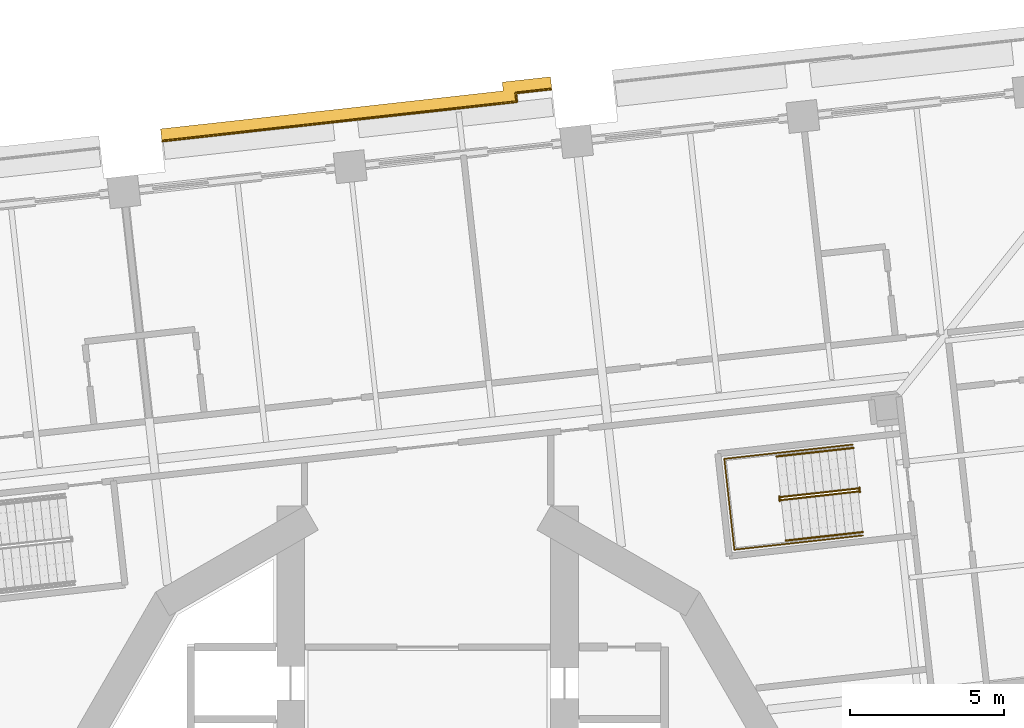
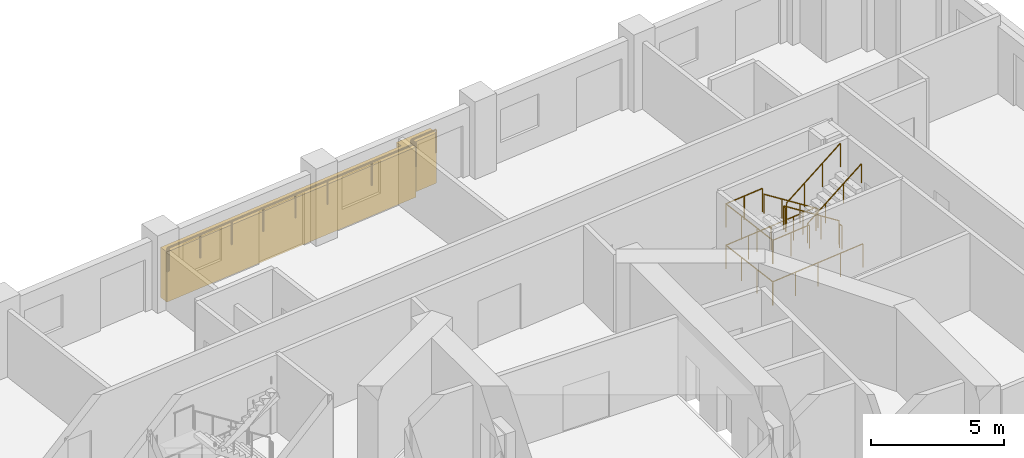
# One storey, part 17 of 19: 8 railings, 1 covering.
"""IFC4 building model written with IfcOpenShell, lengths in metres."""

from ifc_helpers import new_model, si_unit, direction, frame, origin, origin_2d, place, context, subcontext, project, spatial, polyline, circle, outline, extrude, material, type_object, element, save


model = new_model("IFC4")

# Units and contexts
model_context = context("Model", 3, precision=1e-05, world=origin(), true_north=direction((0.0, 1.0)))
body_context = subcontext(model_context, "Body", "Model", "MODEL_VIEW")
ifc_project = project(units=[si_unit("LENGTHUNIT", "METRE"), si_unit("AREAUNIT", "SQUARE_METRE"), si_unit("VOLUMEUNIT", "CUBIC_METRE"), si_unit("PLANEANGLEUNIT", "RADIAN"), si_unit("MASSUNIT", "GRAM", prefix="KILO")], contexts=[model_context])

# Site, building, storey
site_placement = place(None, origin())
site = spatial("IfcSite", under=ifc_project, at=site_placement, CompositionType="ELEMENT")
building_placement = place(site_placement, origin())
building = spatial("IfcBuilding", under=site, at=building_placement, Name="Cantera Rosa Tower", CompositionType="ELEMENT")
storey_placement = place(building_placement, frame((0.0, 0.0, 65.300048828125)))
storey = spatial("IfcBuildingStorey", under=building, at=storey_placement, Name="L13", CompositionType="ELEMENT", Elevation=65.300048828125)

# Railings
ifc_material_1 = material(Name="Stainless steel and laminated glass", Category="steel")
railing_type_1 = type_object("IfcRailingType", Name="GUARD 1100", PredefinedType="BALUSTRADE", material=ifc_material_1)
railing_1_placement = place(storey_placement, frame((-8.6142578125, 23.4931640625, 0.0)))
element("IfcRailing", 1, at=railing_1_placement, inside=storey, type_object=railing_type_1, Name="GUARD L13-12", PredefinedType="BALUSTRADE", context=body_context, shape_type="SweptSolid", body=[
    extrude(circle(Radius=0.030029296875, at=origin_2d()), frame((0.0, 0.0, 1.070068359375), z_axis=(0.994136314057, 0.108134125389, 0.0), x_axis=(-0.108134125389, 0.994136314057, 0.0)), (0.0, 0.0, 1.0), 0.070068359375),
    extrude(circle(Radius=0.030029296875, at=origin_2d()), frame((0.069580078125, 0.007568359375, 1.070068359375), z_axis=(0.993891851654, 0.110358448777, 0.0), x_axis=(-0.110358448777, 0.993891851654, 0.0)), (0.0, 0.0, 1.0), 4.400146484375),
    extrude(circle(Radius=0.030029296875, at=origin_2d()), frame((4.44287109375, 0.4931640625, 1.070068359375), z_axis=(0.993901585709, 0.110270748271, 0.0), x_axis=(-0.110270748271, 0.993901585709, 0.0)), (0.0, 0.0, 1.0), 3.0),
    extrude(circle(Radius=0.030029296875, at=origin_2d()), frame((7.424560546875, 0.823974609375, 1.070068359375), z_axis=(0.993898197765, 0.110301280499, 0.0), x_axis=(-0.110301280499, 0.993898197765, 0.0)), (0.0, 0.0, 1.0), 4.11474609375),
    extrude(circle(Radius=0.030029296875, at=origin_2d()), frame((11.51416015625, 1.27783203125, 1.070068359375), z_axis=(-0.110431526075, 0.993883734674, 0.0), x_axis=(-0.993883734674, -0.110431526075, 0.0)), (0.0, 0.0, 1.0), 0.28515625),
    extrude(circle(Radius=0.030029296875, at=origin_2d()), frame((11.482666015625, 1.561279296875, 1.070068359375), z_axis=(0.993896614033, 0.110315550186, 0.0), x_axis=(-0.110315550186, 0.993896614033, 0.0)), (0.0, 0.0, 1.0), 1.1552734375),
    extrude(circle(Radius=0.02490234375, at=origin_2d()), origin(), (0.0, 0.0, 1.0), 1.0400390625),
    extrude(circle(Radius=0.02490234375, at=origin_2d()), frame((0.069580078125, 0.007568359375, 0.0)), (0.0, 0.0, 1.0), 1.0400390625),
    extrude(circle(Radius=0.02490234375, at=origin_2d()), frame((1.52734375, 0.16943359375, 0.0)), (0.0, 0.0, 1.0), 1.0400390625),
    extrude(circle(Radius=0.02490234375, at=origin_2d()), frame((2.985107421875, 0.331298828125, 0.0)), (0.0, 0.0, 1.0), 1.0400390625),
    extrude(circle(Radius=0.02490234375, at=origin_2d()), frame((4.44287109375, 0.4931640625, 0.0)), (0.0, 0.0, 1.0), 1.0400390625),
    extrude(circle(Radius=0.02490234375, at=origin_2d()), frame((5.93359375, 0.65869140625, 0.0)), (0.0, 0.0, 1.0), 1.0400390625),
    extrude(circle(Radius=0.02490234375, at=origin_2d()), frame((7.424560546875, 0.823974609375, 0.0)), (0.0, 0.0, 1.0), 1.0400390625),
    extrude(circle(Radius=0.02490234375, at=origin_2d()), frame((9.46923828125, 1.05078125, 0.0)), (0.0, 0.0, 1.0), 1.0400390625),
    extrude(circle(Radius=0.02490234375, at=origin_2d()), frame((11.51416015625, 1.27783203125, 0.0)), (0.0, 0.0, 1.0), 1.0400390625),
    extrude(circle(Radius=0.02490234375, at=origin_2d()), frame((11.482666015625, 1.561279296875, 0.0)), (0.0, 0.0, 1.0), 1.0400390625),
    extrude(circle(Radius=0.02490234375, at=origin_2d()), frame((12.630859375, 1.688720703125, 0.0)), (0.0, 0.0, 1.0), 1.0400390625),
])
ifc_material_2 = material(Name="Steel S355J2 (EN 10025-2)", Category="steel")
railing_type_2 = type_object("IfcRailingType", Name="STAIR GUARD 1100", PredefinedType="GUARDRAIL", material=ifc_material_2)
railing_2_placement = place(storey_placement, frame((13.986083984375, 12.203125, 0.18994140625)))
element("IfcRailing", 2, at=railing_2_placement, inside=storey, type_object=railing_type_2, Name="L13 ST-11 stair guard 1", PredefinedType="GUARDRAIL", context=body_context, shape_type="SweptSolid", body=[
    extrude(circle(Radius=0.02392578125, at=origin_2d()), frame((0.0, 0.0, 1.076171875), z_axis=(-0.822431337597, -0.091310000343, 0.561488360321), x_axis=(0.110346460196, -0.993893182753, 0.0)), (0.0, 0.0, 1.0), 3.04541015625),
    extrude(circle(Radius=0.02392578125, at=origin_2d()), frame((-2.504638671875, -0.278076171875, 2.7861328125), z_axis=(-0.931434406233, 0.363909256389, 0.0), x_axis=(-0.363909256389, -0.931434406233, 0.0)), (0.0, 0.0, 1.0), 0.056396484375),
    extrude(circle(Radius=0.02392578125, at=origin_2d()), frame((-2.55712890625, -0.257568359375, 2.7861328125), z_axis=(0.1090029065, -0.994041430915, 0.0), x_axis=(0.994041430915, 0.1090029065, 0.0)), (0.0, 0.0, 1.0), 0.150146484375),
    extrude(circle(Radius=0.02099609375, at=origin_2d()), origin(), (0.0, 0.0, 1.0), 1.052001953125),
    extrude(circle(Radius=0.02099609375, at=origin_2d()), frame((-0.8349609375, -0.0927734375, 0.570068359375)), (0.0, 0.0, 1.0), 1.052001953125),
    extrude(circle(Radius=0.02099609375, at=origin_2d()), frame((-1.669677734375, -0.185302734375, 1.139892578125)), (0.0, 0.0, 1.0), 1.052001953125),
    extrude(circle(Radius=0.02099609375, at=origin_2d()), frame((-2.504638671875, -0.278076171875, 1.7099609375)), (0.0, 0.0, 1.0), 1.052001953125),
    extrude(circle(Radius=0.02099609375, at=origin_2d()), frame((-2.55712890625, -0.257568359375, 1.7099609375)), (0.0, 0.0, 1.0), 1.052001953125),
    extrude(circle(Radius=0.02099609375, at=origin_2d()), frame((-2.540771484375, -0.40673828125, 1.7099609375)), (0.0, 0.0, 1.0), 1.052001953125),
])
railing_3_placement = place(storey_placement, frame((11.4921875, 11.82763671875, 2.08984375)))
element("IfcRailing", 3, at=railing_3_placement, inside=storey, type_object=railing_type_2, Name="L13 ST-11 stair guard 2", PredefinedType="GUARDRAIL", context=body_context, shape_type="SweptSolid", body=[
    extrude(circle(Radius=0.02392578125, at=origin_2d()), frame((0.0, 0.0, 1.076171875), z_axis=(0.822394317572, 0.091305890215, 0.561543249302), x_axis=(-0.110346460196, 0.993893182753, 0.0)), (0.0, 0.0, 1.0), 3.045654296875),
    extrude(circle(Radius=0.02099609375, at=origin_2d()), origin(), (0.0, 0.0, 1.0), 1.052001953125),
    extrude(circle(Radius=0.02099609375, at=origin_2d()), frame((0.8349609375, 0.0927734375, 0.570068359375)), (0.0, 0.0, 1.0), 1.052001953125),
    extrude(circle(Radius=0.02099609375, at=origin_2d()), frame((1.669677734375, 0.185302734375, 1.14013671875)), (0.0, 0.0, 1.0), 1.052001953125),
    extrude(circle(Radius=0.02099609375, at=origin_2d()), frame((2.504638671875, 0.278076171875, 1.710205078125)), (0.0, 0.0, 1.0), 1.052001953125),
])
railing_4_placement = place(storey_placement, frame((14.032958984375, 12.234375, 0.0)))
element("IfcRailing", 4, at=railing_4_placement, inside=storey, type_object=railing_type_2, Name="L13 ST-11 stair guard 3", PredefinedType="GUARDRAIL", context=body_context, shape_type="SweptSolid", body=[
    extrude(circle(Radius=0.02392578125, at=origin_2d()), frame((0.0, 0.0, 1.076171875), z_axis=(0.109179471459, -0.994022053584, 0.0), x_axis=(0.994022053584, 0.109179471459, 0.0)), (0.0, 0.0, 1.0), 0.14990234375),
    extrude(circle(Radius=0.02099609375, at=origin_2d()), origin(), (0.0, 0.0, 1.0), 1.052001953125),
    extrude(circle(Radius=0.02099609375, at=origin_2d()), frame((0.016357421875, -0.14892578125, 0.0)), (0.0, 0.0, 1.0), 1.052001953125),
])
railing_5_placement = place(storey_placement, frame((13.815673828125, 13.629150390625, 0.0)))
element("IfcRailing", 5, at=railing_5_placement, inside=storey, type_object=railing_type_2, Name="L13 ST-11 stair guard 4", PredefinedType="GUARDRAIL", context=body_context, shape_type="SweptSolid", body=[
    extrude(circle(Radius=0.02392578125, at=origin_2d()), frame((0.0, 0.0, 1.076171875), z_axis=(-0.9938957856, -0.110323013767, 0.0), x_axis=(0.110323013767, -0.9938957856, 0.0)), (0.0, 0.0, 1.0), 4.197998046875),
    extrude(circle(Radius=0.02392578125, at=origin_2d()), frame((-4.17236328125, -0.463134765625, 1.076171875), z_axis=(0.110314237986, -0.993896759678, 0.0), x_axis=(0.993896759678, 0.110314237986, 0.0)), (0.0, 0.0, 1.0), 2.969970703125),
    extrude(circle(Radius=0.02392578125, at=origin_2d()), frame((-3.8447265625, -3.4150390625, 1.076171875), z_axis=(0.9938957856, 0.110323013767, 0.0), x_axis=(-0.110323013767, 0.9938957856, 0.0)), (0.0, 0.0, 1.0), 4.197998046875),
    extrude(circle(Radius=0.02099609375, at=origin_2d()), origin(), (0.0, 0.0, 1.0), 1.052001953125),
    extrude(circle(Radius=0.02099609375, at=origin_2d()), frame((-1.04296875, -0.11572265625, 0.0)), (0.0, 0.0, 1.0), 1.052001953125),
    extrude(circle(Radius=0.02099609375, at=origin_2d()), frame((-2.086181640625, -0.2314453125, 0.0)), (0.0, 0.0, 1.0), 1.052001953125),
    extrude(circle(Radius=0.02099609375, at=origin_2d()), frame((-3.12939453125, -0.347412109375, 0.0)), (0.0, 0.0, 1.0), 1.052001953125),
    extrude(circle(Radius=0.02099609375, at=origin_2d()), frame((-4.17236328125, -0.463134765625, 0.0)), (0.0, 0.0, 1.0), 1.052001953125),
    extrude(circle(Radius=0.02099609375, at=origin_2d()), frame((-4.063232421875, -1.447021484375, 0.0)), (0.0, 0.0, 1.0), 1.052001953125),
    extrude(circle(Radius=0.02099609375, at=origin_2d()), frame((-3.953857421875, -2.43115234375, 0.0)), (0.0, 0.0, 1.0), 1.052001953125),
    extrude(circle(Radius=0.02099609375, at=origin_2d()), frame((-3.8447265625, -3.4150390625, 0.0)), (0.0, 0.0, 1.0), 1.052001953125),
    extrude(circle(Radius=0.02099609375, at=origin_2d()), frame((-2.8017578125, -3.29931640625, 0.0)), (0.0, 0.0, 1.0), 1.052001953125),
    extrude(circle(Radius=0.02099609375, at=origin_2d()), frame((-1.758544921875, -3.18359375, 0.0)), (0.0, 0.0, 1.0), 1.052001953125),
    extrude(circle(Radius=0.02099609375, at=origin_2d()), frame((-0.71533203125, -3.067626953125, 0.0)), (0.0, 0.0, 1.0), 1.052001953125),
    extrude(circle(Radius=0.02099609375, at=origin_2d()), frame((0.32763671875, -2.951904296875, 0.0)), (0.0, 0.0, 1.0), 1.052001953125),
])
railing_6_placement = place(storey_placement, frame((11.3349609375, 13.353759765625, 1.89990234375)))
element("IfcRailing", 6, at=railing_6_placement, inside=storey, type_object=railing_type_2, Name="L13 ST-11 stair guard 5", PredefinedType="GUARDRAIL", context=body_context, shape_type="SweptSolid", body=[
    extrude(circle(Radius=0.02392578125, at=origin_2d()), frame((0.0, 0.0, 1.076171875), z_axis=(-0.993897720867, -0.110305577623, 0.0), x_axis=(0.110305577623, -0.993897720867, 0.0)), (0.0, 0.0, 1.0), 1.7021484375),
    extrude(circle(Radius=0.02392578125, at=origin_2d()), frame((-1.691650390625, -0.187744140625, 1.076171875), z_axis=(0.110314237986, -0.993896759678, 0.0), x_axis=(0.993896759678, 0.110314237986, 0.0)), (0.0, 0.0, 1.0), 2.969970703125),
    extrude(circle(Radius=0.02392578125, at=origin_2d()), frame((-1.364013671875, -3.1396484375, 1.076171875), z_axis=(0.993897720867, 0.110305577623, 0.0), x_axis=(-0.110305577623, 0.993897720867, 0.0)), (0.0, 0.0, 1.0), 1.7021484375),
    extrude(circle(Radius=0.02099609375, at=origin_2d()), origin(), (0.0, 0.0, 1.0), 1.052001953125),
    extrude(circle(Radius=0.02099609375, at=origin_2d()), frame((-0.845703125, -0.09375, 0.0)), (0.0, 0.0, 1.0), 1.052001953125),
    extrude(circle(Radius=0.02099609375, at=origin_2d()), frame((-1.691650390625, -0.187744140625, 0.0)), (0.0, 0.0, 1.0), 1.052001953125),
    extrude(circle(Radius=0.02099609375, at=origin_2d()), frame((-1.58251953125, -1.171630859375, 0.0)), (0.0, 0.0, 1.0), 1.052001953125),
    extrude(circle(Radius=0.02099609375, at=origin_2d()), frame((-1.47314453125, -2.15576171875, 0.0)), (0.0, 0.0, 1.0), 1.052001953125),
    extrude(circle(Radius=0.02099609375, at=origin_2d()), frame((-1.364013671875, -3.1396484375, 0.0)), (0.0, 0.0, 1.0), 1.052001953125),
    extrude(circle(Radius=0.02099609375, at=origin_2d()), frame((-0.51806640625, -3.0458984375, 0.0)), (0.0, 0.0, 1.0), 1.052001953125),
    extrude(circle(Radius=0.02099609375, at=origin_2d()), frame((0.32763671875, -2.951904296875, 0.0)), (0.0, 0.0, 1.0), 1.052001953125),
])
ifc_material_3 = material(Name="Steel S355J2 (EN 10025-2)", Category="steel")
railing_type_3 = type_object("IfcRailingType", Name="STAIR HANDRAIL 900", PredefinedType="HANDRAIL", material=ifc_material_3)
railing_7_placement = place(storey_placement, frame((13.83984375, 13.52099609375, 0.18994140625)))
element("IfcRailing", 7, at=railing_7_placement, inside=storey, type_object=railing_type_3, Name="L13 ST-11 stair handrail 1", PredefinedType="HANDRAIL", context=body_context, shape_type="SweptSolid", body=[
    extrude(circle(Radius=0.02392578125, at=origin_2d()), frame((0.0, 0.0, 0.8759765625), z_axis=(-0.822437355244, -0.09123050105, 0.561492468674), x_axis=(0.110250758185, -0.993903803353, 0.0)), (0.0, 0.0, 1.0), 3.04541015625),
    extrude(circle(Radius=0.02099609375, at=origin_2d()), origin(), (0.0, 0.0, 1.0), 0.851806640625),
    extrude(circle(Radius=0.02099609375, at=origin_2d()), frame((-0.8349609375, -0.092529296875, 0.570068359375)), (0.0, 0.0, 1.0), 0.851806640625),
    extrude(circle(Radius=0.02099609375, at=origin_2d()), frame((-1.669677734375, -0.185302734375, 1.139892578125)), (0.0, 0.0, 1.0), 0.851806640625),
    extrude(circle(Radius=0.02099609375, at=origin_2d()), frame((-2.504638671875, -0.27783203125, 1.7099609375)), (0.0, 0.0, 1.0), 0.851806640625),
])
railing_8_placement = place(storey_placement, frame((11.638427734375, 10.509765625, 2.08984375)))
element("IfcRailing", 8, at=railing_8_placement, inside=storey, type_object=railing_type_3, Name="L13 ST-11 stair handrail 2", PredefinedType="HANDRAIL", context=body_context, shape_type="SweptSolid", body=[
    extrude(circle(Radius=0.02392578125, at=origin_2d()), frame((0.0, 0.0, 0.8759765625), z_axis=(0.822394317572, 0.091305890215, 0.561543249302), x_axis=(-0.110346460196, 0.993893182753, 0.0)), (0.0, 0.0, 1.0), 3.045654296875),
    extrude(circle(Radius=0.02099609375, at=origin_2d()), origin(), (0.0, 0.0, 1.0), 0.851806640625),
    extrude(circle(Radius=0.02099609375, at=origin_2d()), frame((0.8349609375, 0.0927734375, 0.570068359375)), (0.0, 0.0, 1.0), 0.851806640625),
    extrude(circle(Radius=0.02099609375, at=origin_2d()), frame((1.669677734375, 0.185302734375, 1.14013671875)), (0.0, 0.0, 1.0), 0.851806640625),
    extrude(circle(Radius=0.02099609375, at=origin_2d()), frame((2.504638671875, 0.278076171875, 1.710205078125)), (0.0, 0.0, 1.0), 0.851806640625),
])

# Covering
ifc_material_4 = material(Name="Cantera stone", Category="masonry")
covering_type = type_object("IfcCoveringType", Name="TRAY FASCIA 400", PredefinedType="CLADDING", material=ifc_material_4)
covering_placement = place(storey_placement, frame((0.0, 0.0, -1.400146484375)))
element("IfcCovering", 9, at=covering_placement, inside=storey, type_object=covering_type, Name="TRAY FASCIA L13-03", PredefinedType="CLADDING", context=body_context, shape_type="SweptSolid", body=[
    extrude(outline(polyline([(-8.588623046875, 23.8984375), (-4.215576171875, 24.3837890625), (-1.23388671875, 24.71484375), (2.458251953125, 25.12451171875), (2.4267578125, 25.407958984375), (3.992431640625, 25.581787109375), (4.03662109375, 25.18408203125), (2.868408203125, 25.054443359375), (2.89990234375, 24.77099609375), (-1.189697265625, 24.317138671875), (-4.17138671875, 23.986328125), (-8.544677734375, 23.500732421875), (-8.634033203125, 23.490966796875), (-8.67822265625, 23.888427734375), (-8.588623046875, 23.8984375)])), origin(), (0.0, 0.0, 1.0), 2.300048828125),
])

save(model, "model.ifc")
